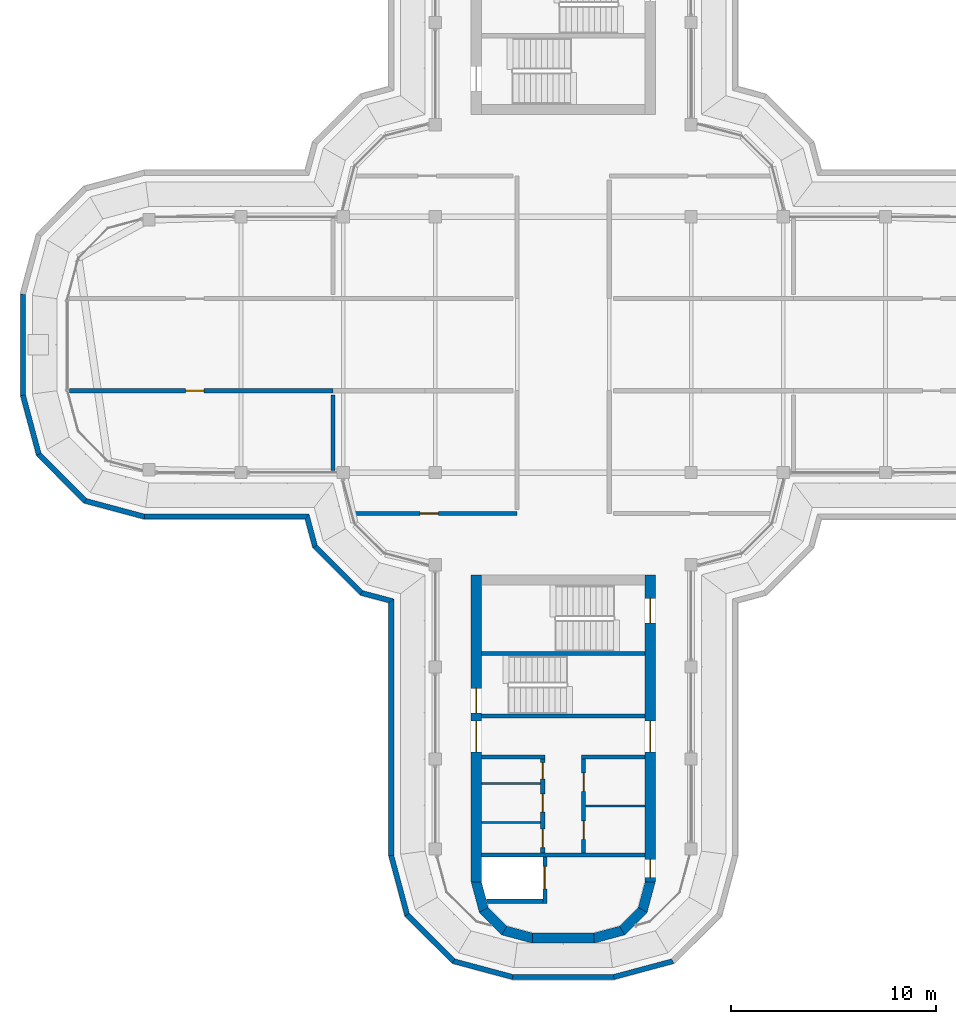
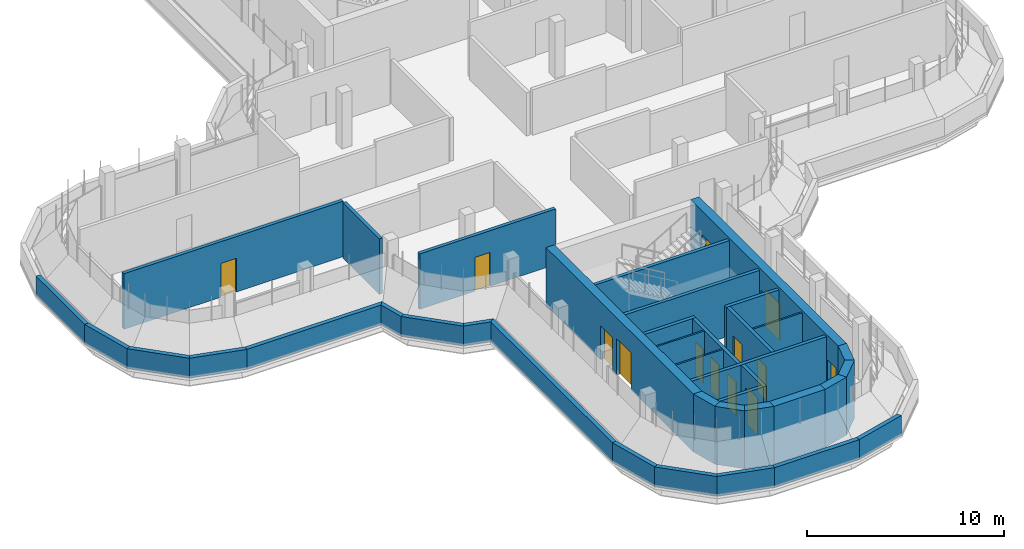
# One storey, part 12 of 19: 38 walls, 13 doors, 13 openings.
"""IFC4 building model written with IfcOpenShell, lengths in metres."""

from ifc_helpers import new_model, si_unit, direction, frame, frame_2d, origin, place, context, subcontext, project, spatial, polyline, rectangle, outline, extrude, material, layer, layer_set, type_object, element, fill, save


model = new_model("IFC4")

# Units and contexts
model_context = context("Model", 3, precision=1e-05, world=origin(), true_north=direction((0.0, 1.0)))
body_context = subcontext(model_context, "Body", "Model", "MODEL_VIEW")
ifc_project = project(units=[si_unit("LENGTHUNIT", "METRE"), si_unit("AREAUNIT", "SQUARE_METRE"), si_unit("VOLUMEUNIT", "CUBIC_METRE"), si_unit("PLANEANGLEUNIT", "RADIAN"), si_unit("MASSUNIT", "GRAM", prefix="KILO")], contexts=[model_context])

# Site, building, storey
site_placement = place(None, origin())
site = spatial("IfcSite", under=ifc_project, at=site_placement, CompositionType="ELEMENT")
building_placement = place(site_placement, origin())
building = spatial("IfcBuilding", under=site, at=building_placement, Name="Zarbagh Exchange Tower", CompositionType="ELEMENT")
storey_placement = place(building_placement, frame((0.0, 0.0, 295.199951171875)))
storey = spatial("IfcBuildingStorey", under=building, at=storey_placement, Name="L72", CompositionType="ELEMENT", Elevation=295.199951171875)

# Walls
ifc_material_1 = material(Name="Dense blockwork", Category="masonry")
ifc_layer_1 = layer(ifc_material_1, 0.10009765625)
ifc_layer_set_1 = layer_set([ifc_layer_1], Name="Core partition 100 mm blockwork")
wall_type_1 = type_object("IfcWallType", Name="Core partition 100 mm blockwork", PredefinedType="PARTITIONING", material=ifc_layer_set_1)
for number, where, z_axis, x_axis, name in (
    (1, (4.0, -22.550048828125, 0.0), (0.0, 0.0, 1.0), (-1.0, 0.0, 0.0), "South core partition wall CUT-W-580"),
    (2, (-1.10009765625, -23.35009765625, 0.0), (0.0, 0.0, 1.0), (-1.0, 0.0, 0.0), "South core partition wall CUT-E-500"),
    (3, (-1.10009765625, -21.449951171875, 0.0), (0.0, 0.0, 1.0), (-1.0, 0.0, 0.0), "South core partition wall CUT-E-690"),
):
    element("IfcWall", number, at=place(storey_placement, frame(where, z_axis=z_axis, x_axis=x_axis)), inside=storey, type_object=wall_type_1, Name=name, PredefinedType="PARTITIONING", context=body_context, shape_type="SweptSolid", body=[
        extrude(rectangle(XDim=2.89990234375, YDim=0.10009765625, at=frame_2d((1.449951171875, 0.0))), origin(), (0.0, 0.0, 1.0), 3.449951171875),
    ])

# Wall, opening, door
ifc_material_2 = material(Name="Concrete block partition", Category="concrete")
ifc_layer_2 = layer(ifc_material_2, 0.199951171875)
ifc_layer_set_2 = layer_set([ifc_layer_2], Name="Fire-rated block partition 200 EI 60")
wall_type_2 = type_object("IfcWallType", Name="Fire-rated block partition 200 EI 60", PredefinedType="PARTITIONING", material=ifc_layer_set_2)
wall_1_placement = place(storey_placement, frame((-10.238037109375, -8.25, 0.0), z_axis=(0.0, 0.0, 1.0), x_axis=(1.0, 0.0, 0.0)))
wall_1 = element("IfcWall", 4, at=wall_1_placement, inside=storey, type_object=wall_type_2, Name="WL-L72-W007", PredefinedType="PARTITIONING", context=body_context, shape_type="SweptSolid", body=[
    extrude(rectangle(XDim=7.988037109375, YDim=0.199951171875, at=frame_2d((3.994140625, 0.0))), origin(), (0.0, 0.0, 1.0), 3.449951171875),
])
opening_1_placement = place(wall_1_placement, frame((3.239013671875, 0.0, 0.0)))
opening_1 = element("IfcOpeningElement", 5, at=opening_1_placement, cuts=wall_1, Name="Opening D04", PredefinedType="OPENING", context=body_context, shape_type="SweptSolid", body=[
    extrude(rectangle(XDim=0.89990234375, YDim=2.10009765625, at=frame_2d((0.449951171875, 1.050048828125))), frame((0.0, 0.10986328125, 0.0), z_axis=(0.0, -1.0, 0.0), x_axis=(1.0, 0.0, 0.0)), (0.0, 0.0, 1.0), 0.219970703125),
])
ifc_material_3 = material(Name="Steel door set", Category="steel")
door_type_1 = type_object("IfcDoorType", Name="Door single 900x2100 EI 60", OperationType="SINGLE_SWING_LEFT", PredefinedType="DOOR", material=ifc_material_3)
door_1_placement = place(opening_1_placement, origin())
door_1 = element("IfcDoor", 6, at=door_1_placement, inside=storey, type_object=door_type_1, Name="D04", OperationType="SINGLE_SWING_LEFT", OverallHeight=2.10009765625, OverallWidth=0.89990234375, PredefinedType="DOOR", context=body_context, shape_type="SweptSolid", body=[
    extrude(rectangle(XDim=0.89990234375, YDim=2.10009765625, at=frame_2d((0.449951171875, 1.050048828125))), frame((0.0, 0.02490234375, 0.0), z_axis=(0.0, -1.0, 0.0), x_axis=(1.0, 0.0, 0.0)), (0.0, 0.0, 1.0), 0.050048828125),
])
fill(opening_1, door_1)

# Wall
wall_2_placement = place(storey_placement, frame((-11.25, -6.159912109375, 0.0), z_axis=(0.0, 0.0, 1.0), x_axis=(0.0, 1.0, 0.0)))
element("IfcWall", 7, at=wall_2_placement, inside=storey, type_object=wall_type_2, Name="WL-L72-W019", PredefinedType="PARTITIONING", context=body_context, shape_type="SweptSolid", body=[
    extrude(rectangle(XDim=3.7099609375, YDim=0.199951171875, at=frame_2d((1.85498046875, 0.0))), origin(), (0.0, 0.0, 1.0), 3.449951171875),
])

# Wall, opening, door
wall_3_placement = place(storey_placement, frame((-11.25, -2.25, 0.0), z_axis=(0.0, 0.0, 1.0), x_axis=(-1.0, 0.0, 0.0)))
wall_3 = element("IfcWall", 8, at=wall_3_placement, inside=storey, type_object=wall_type_2, Name="WL-L72-W024", PredefinedType="PARTITIONING", context=body_context, shape_type="SweptSolid", body=[
    extrude(rectangle(XDim=12.889892578125, YDim=0.199951171875, at=frame_2d((6.44482421875, 0.0))), origin(), (0.0, 0.0, 1.0), 3.449951171875),
])
opening_2_placement = place(wall_3_placement, frame((6.300048828125, 0.0, 0.0)))
opening_2 = element("IfcOpeningElement", 9, at=opening_2_placement, cuts=wall_3, Name="Opening D08", PredefinedType="OPENING", context=body_context, shape_type="SweptSolid", body=[
    extrude(rectangle(XDim=0.89990234375, YDim=2.10009765625, at=frame_2d((0.449951171875, 1.050048828125))), frame((0.0, 0.10986328125, 0.0), z_axis=(0.0, -1.0, 0.0), x_axis=(1.0, 0.0, 0.0)), (0.0, 0.0, 1.0), 0.219970703125),
])
door_2_placement = place(opening_2_placement, origin())
door_2 = element("IfcDoor", 10, at=door_2_placement, inside=storey, type_object=door_type_1, Name="D08", OperationType="SINGLE_SWING_LEFT", OverallHeight=2.10009765625, OverallWidth=0.89990234375, PredefinedType="DOOR", context=body_context, shape_type="SweptSolid", body=[
    extrude(rectangle(XDim=0.89990234375, YDim=2.10009765625, at=frame_2d((0.449951171875, 1.050048828125))), frame((0.0, 0.02490234375, 0.0), z_axis=(0.0, -1.0, 0.0), x_axis=(1.0, 0.0, 0.0)), (0.0, 0.0, 1.0), 0.050048828125),
])
fill(opening_2, door_2)

# Walls
ifc_material_4 = material(Name="Concrete C40/50", Category="concrete")
ifc_layer_3 = layer(ifc_material_4, 0.25)
ifc_layer_set_3 = layer_set([ifc_layer_3], Name="Parapet wall, concrete C40/50")
wall_type_3 = type_object("IfcWallType", Name="Parapet wall, concrete C40/50", PredefinedType="PARAPET", material=ifc_layer_set_3)
wall_4_placement = place(storey_placement, origin())
element("IfcWall", 11, at=wall_4_placement, inside=storey, type_object=wall_type_3, Name="roof parapet", PredefinedType="PARAPET", context=body_context, shape_type="SweptSolid", body=[
    extrude(outline(polyline([(-2.484375, -31.030029296875), (-5.42138671875, -30.242919921875), (-5.2919921875, -30.018798828125), (-2.451416015625, -30.780029296875), (-2.484375, -31.030029296875)])), origin(), (0.0, 0.0, 1.0), 1.219970703125),
])
wall_5_placement = place(storey_placement, origin())
element("IfcWall", 12, at=wall_5_placement, inside=storey, type_object=wall_type_3, Name="roof parapet", PredefinedType="PARAPET", context=body_context, shape_type="SweptSolid", body=[
    extrude(outline(polyline([(-5.42138671875, -30.242919921875), (-7.742919921875, -27.92138671875), (-7.518798828125, -27.7919921875), (-5.2919921875, -30.018798828125), (-5.42138671875, -30.242919921875)])), origin(), (0.0, 0.0, 1.0), 1.219970703125),
])
wall_6_placement = place(storey_placement, origin())
element("IfcWall", 13, at=wall_6_placement, inside=storey, type_object=wall_type_3, Name="roof parapet", PredefinedType="PARAPET", context=body_context, shape_type="SweptSolid", body=[
    extrude(outline(polyline([(-7.742919921875, -27.92138671875), (-8.530029296875, -24.984375), (-8.280029296875, -24.951416015625), (-7.518798828125, -27.7919921875), (-7.742919921875, -27.92138671875)])), origin(), (0.0, 0.0, 1.0), 1.219970703125),
])
wall_7_placement = place(storey_placement, origin())
element("IfcWall", 14, at=wall_7_placement, inside=storey, type_object=wall_type_3, Name="roof parapet", PredefinedType="PARAPET", context=body_context, shape_type="SweptSolid", body=[
    extrude(outline(polyline([(-8.530029296875, -24.984375), (-8.530029296875, -12.61572265625), (-8.280029296875, -12.424072265625), (-8.280029296875, -24.951416015625), (-8.530029296875, -24.984375)])), origin(), (0.0, 0.0, 1.0), 1.219970703125),
])
wall_8_placement = place(storey_placement, origin())
element("IfcWall", 15, at=wall_8_placement, inside=storey, type_object=wall_type_3, Name="roof parapet", PredefinedType="PARAPET", context=body_context, shape_type="SweptSolid", body=[
    extrude(outline(polyline([(-8.530029296875, -12.61572265625), (-9.92138671875, -12.242919921875), (-9.7919921875, -12.018798828125), (-8.280029296875, -12.424072265625), (-8.530029296875, -12.61572265625)])), origin(), (0.0, 0.0, 1.0), 1.219970703125),
])
wall_9_placement = place(storey_placement, origin())
element("IfcWall", 16, at=wall_9_placement, inside=storey, type_object=wall_type_3, Name="roof parapet", PredefinedType="PARAPET", context=body_context, shape_type="SweptSolid", body=[
    extrude(outline(polyline([(-9.92138671875, -12.242919921875), (-12.242919921875, -9.92138671875), (-12.018798828125, -9.7919921875), (-9.7919921875, -12.018798828125), (-9.92138671875, -12.242919921875)])), origin(), (0.0, 0.0, 1.0), 1.219970703125),
])
wall_10_placement = place(storey_placement, origin())
element("IfcWall", 17, at=wall_10_placement, inside=storey, type_object=wall_type_3, Name="roof parapet", PredefinedType="PARAPET", context=body_context, shape_type="SweptSolid", body=[
    extrude(outline(polyline([(-12.242919921875, -9.92138671875), (-12.61572265625, -8.530029296875), (-12.424072265625, -8.280029296875), (-12.018798828125, -9.7919921875), (-12.242919921875, -9.92138671875)])), origin(), (0.0, 0.0, 1.0), 1.219970703125),
])
wall_11_placement = place(storey_placement, origin())
element("IfcWall", 18, at=wall_11_placement, inside=storey, type_object=wall_type_3, Name="roof parapet", PredefinedType="PARAPET", context=body_context, shape_type="SweptSolid", body=[
    extrude(outline(polyline([(-12.61572265625, -8.530029296875), (-20.484375, -8.530029296875), (-20.451416015625, -8.280029296875), (-12.424072265625, -8.280029296875), (-12.61572265625, -8.530029296875)])), origin(), (0.0, 0.0, 1.0), 1.219970703125),
])
wall_12_placement = place(storey_placement, origin())
element("IfcWall", 19, at=wall_12_placement, inside=storey, type_object=wall_type_3, Name="roof parapet", PredefinedType="PARAPET", context=body_context, shape_type="SweptSolid", body=[
    extrude(outline(polyline([(-20.484375, -8.530029296875), (-23.42138671875, -7.742919921875), (-23.2919921875, -7.518798828125), (-20.451416015625, -8.280029296875), (-20.484375, -8.530029296875)])), origin(), (0.0, 0.0, 1.0), 1.219970703125),
])
wall_13_placement = place(storey_placement, origin())
element("IfcWall", 20, at=wall_13_placement, inside=storey, type_object=wall_type_3, Name="roof parapet", PredefinedType="PARAPET", context=body_context, shape_type="SweptSolid", body=[
    extrude(outline(polyline([(-23.42138671875, -7.742919921875), (-25.742919921875, -5.42138671875), (-25.518798828125, -5.2919921875), (-23.2919921875, -7.518798828125), (-23.42138671875, -7.742919921875)])), origin(), (0.0, 0.0, 1.0), 1.219970703125),
])
wall_14_placement = place(storey_placement, origin())
element("IfcWall", 21, at=wall_14_placement, inside=storey, type_object=wall_type_3, Name="roof parapet", PredefinedType="PARAPET", context=body_context, shape_type="SweptSolid", body=[
    extrude(outline(polyline([(-25.742919921875, -5.42138671875), (-26.530029296875, -2.484375), (-26.280029296875, -2.451416015625), (-25.518798828125, -5.2919921875), (-25.742919921875, -5.42138671875)])), origin(), (0.0, 0.0, 1.0), 1.219970703125),
])
wall_15_placement = place(storey_placement, origin())
element("IfcWall", 22, at=wall_15_placement, inside=storey, type_object=wall_type_3, Name="roof parapet", PredefinedType="PARAPET", context=body_context, shape_type="SweptSolid", body=[
    extrude(outline(polyline([(-26.530029296875, -2.484375), (-26.530029296875, 2.484375), (-26.280029296875, 2.451416015625), (-26.280029296875, -2.451416015625), (-26.530029296875, -2.484375)])), origin(), (0.0, 0.0, 1.0), 1.219970703125),
])
wall_16_placement = place(storey_placement, origin())
element("IfcWall", 23, at=wall_16_placement, inside=storey, type_object=wall_type_3, Name="roof parapet", PredefinedType="PARAPET", context=body_context, shape_type="SweptSolid", body=[
    extrude(outline(polyline([(5.42138671875, -30.242919921875), (2.484375, -31.030029296875), (2.451416015625, -30.780029296875), (5.2919921875, -30.018798828125), (5.42138671875, -30.242919921875)])), origin(), (0.0, 0.0, 1.0), 1.219970703125),
])
wall_17_placement = place(storey_placement, origin())
element("IfcWall", 24, at=wall_17_placement, inside=storey, type_object=wall_type_3, Name="roof parapet", PredefinedType="PARAPET", context=body_context, shape_type="SweptSolid", body=[
    extrude(outline(polyline([(2.484375, -31.030029296875), (-2.484375, -31.030029296875), (-2.451416015625, -30.780029296875), (2.451416015625, -30.780029296875), (2.484375, -31.030029296875)])), origin(), (0.0, 0.0, 1.0), 1.219970703125),
])
ifc_layer_4 = layer(ifc_material_4, 0.5)
ifc_layer_set_4 = layer_set([ifc_layer_4], Name="RC core corner wall 500 C40/50")
wall_type_4 = type_object("IfcWallType", Name="RC core corner wall 500 C40/50", PredefinedType="SHEAR", material=ifc_layer_set_4)
wall_18_placement = place(storey_placement, origin())
element("IfcWall", 25, at=wall_18_placement, inside=storey, type_object=wall_type_4, Name="CW10 core S corner W", PredefinedType="SHEAR", context=body_context, shape_type="SweptSolid", body=[
    extrude(outline(polyline([(-4.5, -26.25), (-4.09814453125, -27.75), (-3.6650390625, -27.5), (-4.0, -26.25), (-4.5, -26.25)])), origin(), (0.0, 0.0, 1.0), 3.60009765625),
])
wall_19_placement = place(storey_placement, origin())
element("IfcWall", 26, at=wall_19_placement, inside=storey, type_object=wall_type_4, Name="CW10 core S corner W", PredefinedType="SHEAR", context=body_context, shape_type="SweptSolid", body=[
    extrude(outline(polyline([(-4.09814453125, -27.75), (-3.0, -28.84814453125), (-2.75, -28.4150390625), (-3.6650390625, -27.5), (-4.09814453125, -27.75)])), origin(), (0.0, 0.0, 1.0), 3.60009765625),
])
wall_20_placement = place(storey_placement, origin())
element("IfcWall", 27, at=wall_20_placement, inside=storey, type_object=wall_type_4, Name="CW10 core S corner W", PredefinedType="SHEAR", context=body_context, shape_type="SweptSolid", body=[
    extrude(outline(polyline([(-3.0, -28.84814453125), (-1.5, -29.25), (-1.5, -28.75), (-2.75, -28.4150390625), (-3.0, -28.84814453125)])), origin(), (0.0, 0.0, 1.0), 3.60009765625),
])
wall_21_placement = place(storey_placement, origin())
element("IfcWall", 28, at=wall_21_placement, inside=storey, type_object=wall_type_4, Name="CW10 core S corner E", PredefinedType="SHEAR", context=body_context, shape_type="SweptSolid", body=[
    extrude(outline(polyline([(4.5, -26.25), (4.09814453125, -27.75), (3.6650390625, -27.5), (4.0, -26.25), (4.5, -26.25)])), origin(), (0.0, 0.0, 1.0), 3.60009765625),
])
wall_22_placement = place(storey_placement, origin())
element("IfcWall", 29, at=wall_22_placement, inside=storey, type_object=wall_type_4, Name="CW10 core S corner E", PredefinedType="SHEAR", context=body_context, shape_type="SweptSolid", body=[
    extrude(outline(polyline([(4.09814453125, -27.75), (3.0, -28.84814453125), (2.75, -28.4150390625), (3.6650390625, -27.5), (4.09814453125, -27.75)])), origin(), (0.0, 0.0, 1.0), 3.60009765625),
])
wall_23_placement = place(storey_placement, origin())
element("IfcWall", 30, at=wall_23_placement, inside=storey, type_object=wall_type_4, Name="CW10 core S corner E", PredefinedType="SHEAR", context=body_context, shape_type="SweptSolid", body=[
    extrude(outline(polyline([(3.0, -28.84814453125), (1.5, -29.25), (1.5, -28.75), (2.75, -28.4150390625), (3.0, -28.84814453125)])), origin(), (0.0, 0.0, 1.0), 3.60009765625),
])

# Wall, openings, doors
ifc_layer_5 = layer(ifc_material_4, 0.5)
ifc_layer_set_5 = layer_set([ifc_layer_5], Name="RC core wall 500 C40/50")
wall_type_5 = type_object("IfcWallType", Name="RC core wall 500 C40/50", PredefinedType="SHEAR", material=ifc_layer_set_5)
wall_24_placement = place(storey_placement, frame((-4.25, -11.25, 0.0), z_axis=(0.0, 0.0, 1.0), x_axis=(0.0, -1.0, 0.0)))
wall_24 = element("IfcWall", 31, at=wall_24_placement, inside=storey, type_object=wall_type_5, Name="CW9 core S W", PredefinedType="SHEAR", context=body_context, shape_type="SweptSolid", body=[
    extrude(rectangle(XDim=15.0, YDim=0.5, at=frame_2d((7.5, 0.0))), origin(), (0.0, 0.0, 1.0), 3.60009765625),
])
opening_3_placement = place(wall_24_placement, frame((7.14990234375, 0.0, 0.0)))
opening_3 = element("IfcOpeningElement", 32, at=opening_3_placement, cuts=wall_24, Name="Opening CD1-1500", PredefinedType="OPENING", context=body_context, shape_type="SweptSolid", body=[
    extrude(rectangle(XDim=1.5, YDim=2.300048828125, at=frame_2d((0.75, 1.14990234375))), frame((0.0, 0.260009765625, 0.0), z_axis=(0.0, -1.0, 0.0), x_axis=(1.0, 0.0, 0.0)), (0.0, 0.0, 1.0), 0.52001953125),
])
opening_4_placement = place(wall_24_placement, frame((5.550048828125, 0.0, 0.0)))
opening_4 = element("IfcOpeningElement", 33, at=opening_4_placement, cuts=wall_24, Name="Opening SD1-1200", PredefinedType="OPENING", context=body_context, shape_type="SweptSolid", body=[
    extrude(rectangle(XDim=1.199951171875, YDim=2.10009765625, at=frame_2d((0.60009765625, 1.050048828125))), frame((0.0, 0.260009765625, 0.0), z_axis=(0.0, -1.0, 0.0), x_axis=(1.0, 0.0, 0.0)), (0.0, 0.0, 1.0), 0.52001953125),
])
ifc_material_5 = material(Name="Steel", Category="steel")
door_type_2 = type_object("IfcDoorType", Name="Exit stair door 1200 x 2100", OperationType="NOTDEFINED", PredefinedType="DOOR", material=ifc_material_5)
door_3_placement = place(opening_4_placement, origin())
door_3 = element("IfcDoor", 34, at=door_3_placement, inside=storey, type_object=door_type_2, Name="South core stair door ST1", OperationType="SINGLE_SWING_RIGHT", OverallHeight=2.10009765625, OverallWidth=1.199951171875, PredefinedType="DOOR", context=body_context, shape_type="SweptSolid", body=[
    extrude(rectangle(XDim=1.199951171875, YDim=2.10009765625, at=frame_2d((0.60009765625, 1.050048828125))), frame((0.0, 0.02490234375, 0.0), z_axis=(0.0, -1.0, 0.0), x_axis=(1.0, 0.0, 0.0)), (0.0, 0.0, 1.0), 0.050048828125),
])
fill(opening_4, door_3)
door_type_3 = type_object("IfcDoorType", Name="Lift lobby double door 1500 x 2300", OperationType="NOTDEFINED", PredefinedType="DOOR", material=ifc_material_5)
door_4_placement = place(opening_3_placement, origin())
door_4 = element("IfcDoor", 35, at=door_4_placement, inside=storey, type_object=door_type_3, Name="South core lift lobby door LOBBY-E", OperationType="DOUBLE_DOOR_SINGLE_SWING", OverallHeight=2.300048828125, OverallWidth=1.5, PredefinedType="DOOR", context=body_context, shape_type="SweptSolid", body=[
    extrude(rectangle(XDim=1.5, YDim=2.300048828125, at=frame_2d((0.75, 1.14990234375))), frame((0.0, 0.02490234375, 0.0), z_axis=(0.0, -1.0, 0.0), x_axis=(1.0, 0.0, 0.0)), (0.0, 0.0, 1.0), 0.050048828125),
])
fill(opening_3, door_4)

wall_25_placement = place(storey_placement, frame((4.25, -11.25, 0.0), z_axis=(0.0, 0.0, 1.0), x_axis=(0.0, -1.0, 0.0)))
wall_25 = element("IfcWall", 36, at=wall_25_placement, inside=storey, type_object=wall_type_5, Name="CW9 core S E", PredefinedType="SHEAR", context=body_context, shape_type="SweptSolid", body=[
    extrude(rectangle(XDim=15.0, YDim=0.5, at=frame_2d((7.5, 0.0))), origin(), (0.0, 0.0, 1.0), 3.60009765625),
])
opening_5_placement = place(wall_25_placement, frame((7.14990234375, 0.0, 0.0)))
opening_5 = element("IfcOpeningElement", 37, at=opening_5_placement, cuts=wall_25, Name="Opening CD1-1500", PredefinedType="OPENING", context=body_context, shape_type="SweptSolid", body=[
    extrude(rectangle(XDim=1.5, YDim=2.300048828125, at=frame_2d((0.75, 1.14990234375))), frame((0.0, 0.260009765625, 0.0), z_axis=(0.0, -1.0, 0.0), x_axis=(1.0, 0.0, 0.0)), (0.0, 0.0, 1.0), 0.52001953125),
])
opening_6_placement = place(wall_25_placement, frame((13.89990234375, 0.0, 0.0)))
opening_6 = element("IfcOpeningElement", 38, at=opening_6_placement, cuts=wall_25, Name="Opening CD2-900", PredefinedType="OPENING", context=body_context, shape_type="SweptSolid", body=[
    extrude(rectangle(XDim=0.89990234375, YDim=2.10009765625, at=frame_2d((0.449951171875, 1.050048828125))), frame((0.0, 0.260009765625, 0.0), z_axis=(0.0, -1.0, 0.0), x_axis=(1.0, 0.0, 0.0)), (0.0, 0.0, 1.0), 0.52001953125),
])
opening_7_placement = place(wall_25_placement, frame((1.14990234375, 0.0, 0.0)))
opening_7 = element("IfcOpeningElement", 39, at=opening_7_placement, cuts=wall_25, Name="Opening SD1-1200", PredefinedType="OPENING", context=body_context, shape_type="SweptSolid", body=[
    extrude(rectangle(XDim=1.199951171875, YDim=2.10009765625, at=frame_2d((0.60009765625, 1.050048828125))), frame((0.0, 0.260009765625, 0.0), z_axis=(0.0, -1.0, 0.0), x_axis=(1.0, 0.0, 0.0)), (0.0, 0.0, 1.0), 0.52001953125),
])
door_5_placement = place(opening_7_placement, origin())
door_5 = element("IfcDoor", 40, at=door_5_placement, inside=storey, type_object=door_type_2, Name="South core stair door ST2", OperationType="SINGLE_SWING_RIGHT", OverallHeight=2.10009765625, OverallWidth=1.199951171875, PredefinedType="DOOR", context=body_context, shape_type="SweptSolid", body=[
    extrude(rectangle(XDim=1.199951171875, YDim=2.10009765625, at=frame_2d((0.60009765625, 1.050048828125))), frame((0.0, 0.02490234375, 0.0), z_axis=(0.0, -1.0, 0.0), x_axis=(1.0, 0.0, 0.0)), (0.0, 0.0, 1.0), 0.050048828125),
])
fill(opening_7, door_5)
door_type_4 = type_object("IfcDoorType", Name="Firefighting lobby door 900 x 2100", OperationType="NOTDEFINED", PredefinedType="DOOR", material=ifc_material_5)
door_6_placement = place(opening_6_placement, origin())
door_6 = element("IfcDoor", 41, at=door_6_placement, inside=storey, type_object=door_type_4, Name="South core firefighting lobby door FF-W", OperationType="SINGLE_SWING_RIGHT", OverallHeight=2.10009765625, OverallWidth=0.89990234375, PredefinedType="DOOR", context=body_context, shape_type="SweptSolid", body=[
    extrude(rectangle(XDim=0.89990234375, YDim=2.10009765625, at=frame_2d((0.449951171875, 1.050048828125))), frame((0.0, 0.02490234375, 0.0), z_axis=(0.0, -1.0, 0.0), x_axis=(1.0, 0.0, 0.0)), (0.0, 0.0, 1.0), 0.050048828125),
])
fill(opening_6, door_6)
door_7_placement = place(opening_5_placement, origin())
door_7 = element("IfcDoor", 42, at=door_7_placement, inside=storey, type_object=door_type_3, Name="South core lift lobby door LOBBY-W", OperationType="DOUBLE_DOOR_SINGLE_SWING", OverallHeight=2.300048828125, OverallWidth=1.5, PredefinedType="DOOR", context=body_context, shape_type="SweptSolid", body=[
    extrude(rectangle(XDim=1.5, YDim=2.300048828125, at=frame_2d((0.75, 1.14990234375))), frame((0.0, 0.02490234375, 0.0), z_axis=(0.0, -1.0, 0.0), x_axis=(1.0, 0.0, 0.0)), (0.0, 0.0, 1.0), 0.050048828125),
])
fill(opening_5, door_7)

# Walls
wall_26_placement = place(storey_placement, frame((-1.5, -29.0, 0.0), z_axis=(0.0, 0.0, 1.0), x_axis=(1.0, 0.0, 0.0)))
element("IfcWall", 43, at=wall_26_placement, inside=storey, type_object=wall_type_5, Name="CW9 core S outer end", PredefinedType="SHEAR", context=body_context, shape_type="SweptSolid", body=[
    extrude(rectangle(XDim=3.0, YDim=0.5, at=frame_2d((1.5, 0.0))), origin(), (0.0, 0.0, 1.0), 3.60009765625),
])
ifc_layer_6 = layer(ifc_material_1, 0.199951171875)
ifc_layer_set_6 = layer_set([ifc_layer_6], Name="Shaft wall 200 mm blockwork")
wall_type_6 = type_object("IfcWallType", Name="Shaft wall 200 mm blockwork", PredefinedType="PARTITIONING", material=ifc_layer_set_6)
wall_27_placement = place(storey_placement, frame((4.0, -20.14990234375, 0.0), z_axis=(0.0, 0.0, 1.0), x_axis=(-1.0, 0.0, 0.0)))
element("IfcWall", 44, at=wall_27_placement, inside=storey, type_object=wall_type_6, Name="South core shaft wall AB-W", PredefinedType="PARTITIONING", context=body_context, shape_type="SweptSolid", body=[
    extrude(rectangle(XDim=3.10009765625, YDim=0.199951171875, at=frame_2d((1.550048828125, 0.0))), origin(), (0.0, 0.0, 1.0), 3.449951171875),
])

# Wall, openings, doors
wall_28_placement = place(storey_placement, frame((1.0, -24.85009765625, 0.0), z_axis=(0.0, 0.0, 1.0), x_axis=(0.0, 1.0, 0.0)))
wall_28 = element("IfcWall", 45, at=wall_28_placement, inside=storey, type_object=wall_type_6, Name="South core shaft wall LW-W", PredefinedType="PARTITIONING", context=body_context, shape_type="SweptSolid", body=[
    extrude(rectangle(XDim=4.60009765625, YDim=0.199951171875, at=frame_2d((2.300048828125, 0.0))), origin(), (0.0, 0.0, 1.0), 3.449951171875),
])
opening_8_placement = place(wall_28_placement, frame((0.675048828125, 0.0, 0.0)))
opening_8 = element("IfcOpeningElement", 46, at=opening_8_placement, cuts=wall_28, Name="Opening CD3-900", PredefinedType="OPENING", context=body_context, shape_type="SweptSolid", body=[
    extrude(rectangle(XDim=0.89990234375, YDim=2.10009765625, at=frame_2d((0.449951171875, 1.050048828125))), frame((0.0, 0.10986328125, 0.0), z_axis=(0.0, -1.0, 0.0), x_axis=(1.0, 0.0, 0.0)), (0.0, 0.0, 1.0), 0.219970703125),
])
opening_9_placement = place(wall_28_placement, frame((3.02490234375, 0.0, 0.0)))
opening_9 = element("IfcOpeningElement", 47, at=opening_9_placement, cuts=wall_28, Name="Opening CD3-900", PredefinedType="OPENING", context=body_context, shape_type="SweptSolid", body=[
    extrude(rectangle(XDim=0.89990234375, YDim=2.10009765625, at=frame_2d((0.449951171875, 1.050048828125))), frame((0.0, 0.10986328125, 0.0), z_axis=(0.0, -1.0, 0.0), x_axis=(1.0, 0.0, 0.0)), (0.0, 0.0, 1.0), 0.219970703125),
])
door_type_5 = type_object("IfcDoorType", Name="Core room door 900 x 2100", OperationType="NOTDEFINED", PredefinedType="DOOR", material=ifc_material_5)
door_8_placement = place(opening_8_placement, origin())
door_8 = element("IfcDoor", 48, at=door_8_placement, inside=storey, type_object=door_type_5, Name="South core Plant room door RD-W-0", OperationType="SINGLE_SWING_LEFT", OverallHeight=2.10009765625, OverallWidth=0.89990234375, PredefinedType="DOOR", context=body_context, shape_type="SweptSolid", body=[
    extrude(rectangle(XDim=0.89990234375, YDim=2.10009765625, at=frame_2d((0.449951171875, 1.050048828125))), frame((0.0, 0.02490234375, 0.0), z_axis=(0.0, -1.0, 0.0), x_axis=(1.0, 0.0, 0.0)), (0.0, 0.0, 1.0), 0.050048828125),
])
fill(opening_8, door_8)
door_9_placement = place(opening_9_placement, origin())
door_9 = element("IfcDoor", 49, at=door_9_placement, inside=storey, type_object=door_type_5, Name="South core Switch room door RD-W-1", OperationType="SINGLE_SWING_RIGHT", OverallHeight=2.10009765625, OverallWidth=0.89990234375, PredefinedType="DOOR", context=body_context, shape_type="SweptSolid", body=[
    extrude(rectangle(XDim=0.89990234375, YDim=2.10009765625, at=frame_2d((0.449951171875, 1.050048828125))), frame((0.0, 0.02490234375, 0.0), z_axis=(0.0, -1.0, 0.0), x_axis=(1.0, 0.0, 0.0)), (0.0, 0.0, 1.0), 0.050048828125),
])
fill(opening_9, door_9)

# Wall
wall_29_placement = place(storey_placement, frame((-0.89990234375, -20.14990234375, 0.0), z_axis=(0.0, 0.0, 1.0), x_axis=(-1.0, 0.0, 0.0)))
element("IfcWall", 50, at=wall_29_placement, inside=storey, type_object=wall_type_6, Name="South core shaft wall AB-E", PredefinedType="PARTITIONING", context=body_context, shape_type="SweptSolid", body=[
    extrude(rectangle(XDim=3.10009765625, YDim=0.199951171875, at=frame_2d((1.550048828125, 0.0))), origin(), (0.0, 0.0, 1.0), 3.449951171875),
])

# Wall, openings, doors
wall_30_placement = place(storey_placement, frame((-1.0, -24.85009765625, 0.0), z_axis=(0.0, 0.0, 1.0), x_axis=(0.0, 1.0, 0.0)))
wall_30 = element("IfcWall", 51, at=wall_30_placement, inside=storey, type_object=wall_type_6, Name="South core shaft wall LW-E", PredefinedType="PARTITIONING", context=body_context, shape_type="SweptSolid", body=[
    extrude(rectangle(XDim=4.60009765625, YDim=0.199951171875, at=frame_2d((2.300048828125, 0.0))), origin(), (0.0, 0.0, 1.0), 3.449951171875),
])
opening_10_placement = place(wall_30_placement, frame((0.27490234375, 0.0, 0.0)))
opening_10 = element("IfcOpeningElement", 52, at=opening_10_placement, cuts=wall_30, Name="Opening CD3-900", PredefinedType="OPENING", context=body_context, shape_type="SweptSolid", body=[
    extrude(rectangle(XDim=0.89990234375, YDim=2.10009765625, at=frame_2d((0.449951171875, 1.050048828125))), frame((0.0, 0.10986328125, 0.0), z_axis=(0.0, -1.0, 0.0), x_axis=(1.0, 0.0, 0.0)), (0.0, 0.0, 1.0), 0.219970703125),
])
opening_11_placement = place(wall_30_placement, frame((2.0, 0.0, 0.0)))
opening_11 = element("IfcOpeningElement", 53, at=opening_11_placement, cuts=wall_30, Name="Opening CD3-900", PredefinedType="OPENING", context=body_context, shape_type="SweptSolid", body=[
    extrude(rectangle(XDim=0.89990234375, YDim=2.10009765625, at=frame_2d((0.449951171875, 1.050048828125))), frame((0.0, 0.10986328125, 0.0), z_axis=(0.0, -1.0, 0.0), x_axis=(1.0, 0.0, 0.0)), (0.0, 0.0, 1.0), 0.219970703125),
])
opening_12_placement = place(wall_30_placement, frame((3.625, 0.0, 0.0)))
opening_12 = element("IfcOpeningElement", 54, at=opening_12_placement, cuts=wall_30, Name="Opening CD3-800", PredefinedType="OPENING", context=body_context, shape_type="SweptSolid", body=[
    extrude(rectangle(XDim=0.800048828125, YDim=2.10009765625, at=frame_2d((0.39990234375, 1.050048828125))), frame((0.0, 0.10986328125, 0.0), z_axis=(0.0, -1.0, 0.0), x_axis=(1.0, 0.0, 0.0)), (0.0, 0.0, 1.0), 0.219970703125),
])
door_type_6 = type_object("IfcDoorType", Name="Core room door 800 x 2100", OperationType="NOTDEFINED", PredefinedType="DOOR", material=ifc_material_5)
door_10_placement = place(opening_12_placement, origin())
door_10 = element("IfcDoor", 55, at=door_10_placement, inside=storey, type_object=door_type_6, Name="South core Control room door RD-E-2", OperationType="SINGLE_SWING_RIGHT", OverallHeight=2.10009765625, OverallWidth=0.800048828125, PredefinedType="DOOR", context=body_context, shape_type="SweptSolid", body=[
    extrude(rectangle(XDim=0.800048828125, YDim=2.10009765625, at=frame_2d((0.39990234375, 1.050048828125))), frame((0.0, 0.02490234375, 0.0), z_axis=(0.0, -1.0, 0.0), x_axis=(1.0, 0.0, 0.0)), (0.0, 0.0, 1.0), 0.050048828125),
])
fill(opening_12, door_10)
door_11_placement = place(opening_10_placement, origin())
door_11 = element("IfcDoor", 56, at=door_11_placement, inside=storey, type_object=door_type_5, Name="South core Mechanical store door RD-E-0", OperationType="SINGLE_SWING_RIGHT", OverallHeight=2.10009765625, OverallWidth=0.89990234375, PredefinedType="DOOR", context=body_context, shape_type="SweptSolid", body=[
    extrude(rectangle(XDim=0.89990234375, YDim=2.10009765625, at=frame_2d((0.449951171875, 1.050048828125))), frame((0.0, 0.02490234375, 0.0), z_axis=(0.0, -1.0, 0.0), x_axis=(1.0, 0.0, 0.0)), (0.0, 0.0, 1.0), 0.050048828125),
])
fill(opening_10, door_11)
door_12_placement = place(opening_11_placement, origin())
door_12 = element("IfcDoor", 57, at=door_12_placement, inside=storey, type_object=door_type_5, Name="South core Plant room door RD-E-1", OperationType="SINGLE_SWING_LEFT", OverallHeight=2.10009765625, OverallWidth=0.89990234375, PredefinedType="DOOR", context=body_context, shape_type="SweptSolid", body=[
    extrude(rectangle(XDim=0.89990234375, YDim=2.10009765625, at=frame_2d((0.449951171875, 1.050048828125))), frame((0.0, 0.02490234375, 0.0), z_axis=(0.0, -1.0, 0.0), x_axis=(1.0, 0.0, 0.0)), (0.0, 0.0, 1.0), 0.050048828125),
])
fill(opening_11, door_12)

# Wall
ifc_layer_7 = layer(ifc_material_4, 0.199951171875)
ifc_layer_set_7 = layer_set([ifc_layer_7], Name="Stair enclosure wall 200 mm RC C40/50")
wall_type_7 = type_object("IfcWallType", Name="Stair enclosure wall 200 mm RC C40/50", PredefinedType="SHEAR", material=ifc_layer_set_7)
wall_31_placement = place(storey_placement, frame((4.0, -24.949951171875, 0.0), z_axis=(0.0, 0.0, 1.0), x_axis=(-1.0, 0.0, 0.0)))
element("IfcWall", 58, at=wall_31_placement, inside=storey, type_object=wall_type_7, Name="South core lift shaft wall FFA", PredefinedType="SHEAR", context=body_context, shape_type="SweptSolid", body=[
    extrude(rectangle(XDim=8.0, YDim=0.199951171875, at=frame_2d((4.0, 0.0))), origin(), (0.0, 0.0, 1.0), 3.449951171875),
])

# Wall, opening, door
wall_32_placement = place(storey_placement, frame((-0.89990234375, -27.300048828125, 0.0), z_axis=(0.0, 0.0, 1.0), x_axis=(0.0, 1.0, 0.0)))
wall_32 = element("IfcWall", 59, at=wall_32_placement, inside=storey, type_object=wall_type_7, Name="South core lift shaft wall FFL", PredefinedType="SHEAR", context=body_context, shape_type="SweptSolid", body=[
    extrude(rectangle(XDim=2.25, YDim=0.199951171875, at=frame_2d((1.125, 0.0))), origin(), (0.0, 0.0, 1.0), 3.449951171875),
])
opening_13_placement = place(wall_32_placement, frame((0.699951171875, 0.0, 0.0)))
opening_13 = element("IfcOpeningElement", 60, at=opening_13_placement, cuts=wall_32, Name="Opening LD-1100", PredefinedType="OPENING", context=body_context, shape_type="SweptSolid", body=[
    extrude(rectangle(XDim=1.10009765625, YDim=2.300048828125, at=frame_2d((0.550048828125, 1.14990234375))), frame((0.0, 0.10986328125, 0.0), z_axis=(0.0, -1.0, 0.0), x_axis=(1.0, 0.0, 0.0)), (0.0, 0.0, 1.0), 0.219970703125),
])
ifc_material_6 = material(Name="Stainless steel", Category="steel")
door_type_7 = type_object("IfcDoorType", Name="Lift landing door 1100 x 2300", OperationType="NOTDEFINED", PredefinedType="DOOR", material=ifc_material_6)
door_13_placement = place(opening_13_placement, origin())
door_13 = element("IfcDoor", 61, at=door_13_placement, inside=storey, type_object=door_type_7, Name="South core lift landing door LD-F", OperationType="DOUBLE_DOOR_SLIDING", OverallHeight=2.300048828125, OverallWidth=1.10009765625, PredefinedType="DOOR", context=body_context, shape_type="SweptSolid", body=[
    extrude(rectangle(XDim=1.10009765625, YDim=2.300048828125, at=frame_2d((0.550048828125, 1.14990234375))), frame((0.0, 0.02490234375, 0.0), z_axis=(0.0, -1.0, 0.0), x_axis=(1.0, 0.0, 0.0)), (0.0, 0.0, 1.0), 0.050048828125),
])
fill(opening_13, door_13)

# Walls
wall_33_placement = place(storey_placement, origin())
element("IfcWall", 62, at=wall_33_placement, inside=storey, type_object=wall_type_7, Name="South core lift shaft wall FFX", PredefinedType="SHEAR", context=body_context, shape_type="SweptSolid", body=[
    extrude(outline(polyline([(-1.0, -27.10009765625), (-3.754638671875, -27.10009765625), (-3.700927734375, -27.300048828125), (-1.0, -27.300048828125), (-1.0, -27.10009765625)])), origin(), (0.0, 0.0, 1.0), 3.449951171875),
])
for number, where, z_axis, x_axis, name in (
    (63, (4.0, -18.14990234375, 0.0), (0.0, 0.0, 1.0), (-1.0, 0.0, 0.0), "South core stair wall BS"),
    (64, (4.0, -15.10009765625, 0.0), (0.0, 0.0, 1.0), (-1.0, 0.0, 0.0), "South core stair wall ST12"),
):
    element("IfcWall", number, at=place(storey_placement, frame(where, z_axis=z_axis, x_axis=x_axis)), inside=storey, type_object=wall_type_7, Name=name, PredefinedType="SHEAR", context=body_context, shape_type="SweptSolid", body=[
        extrude(rectangle(XDim=8.0, YDim=0.199951171875, at=frame_2d((4.0, 0.0))), origin(), (0.0, 0.0, 1.0), 3.449951171875),
    ])

save(model, "model.ifc")
